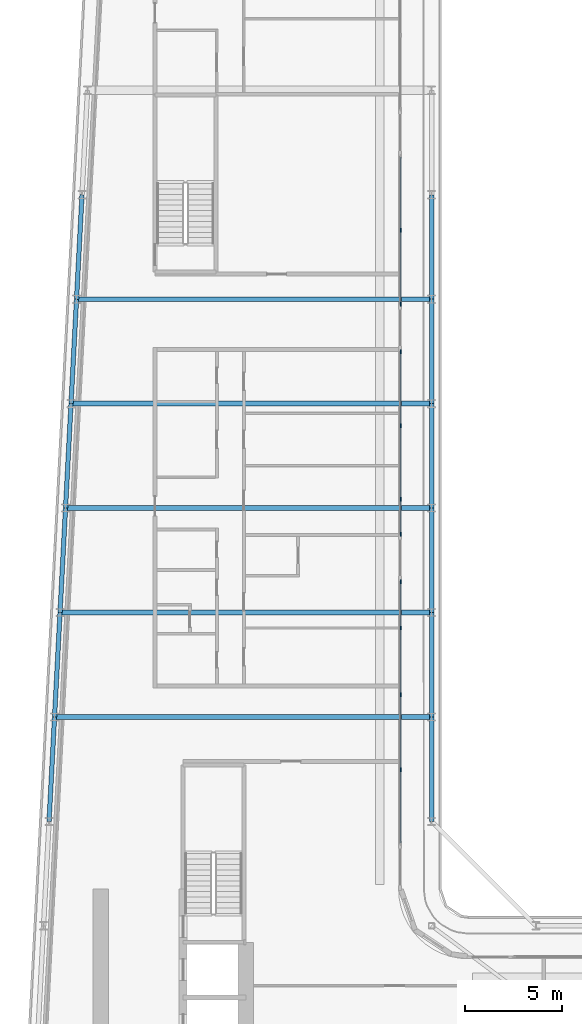
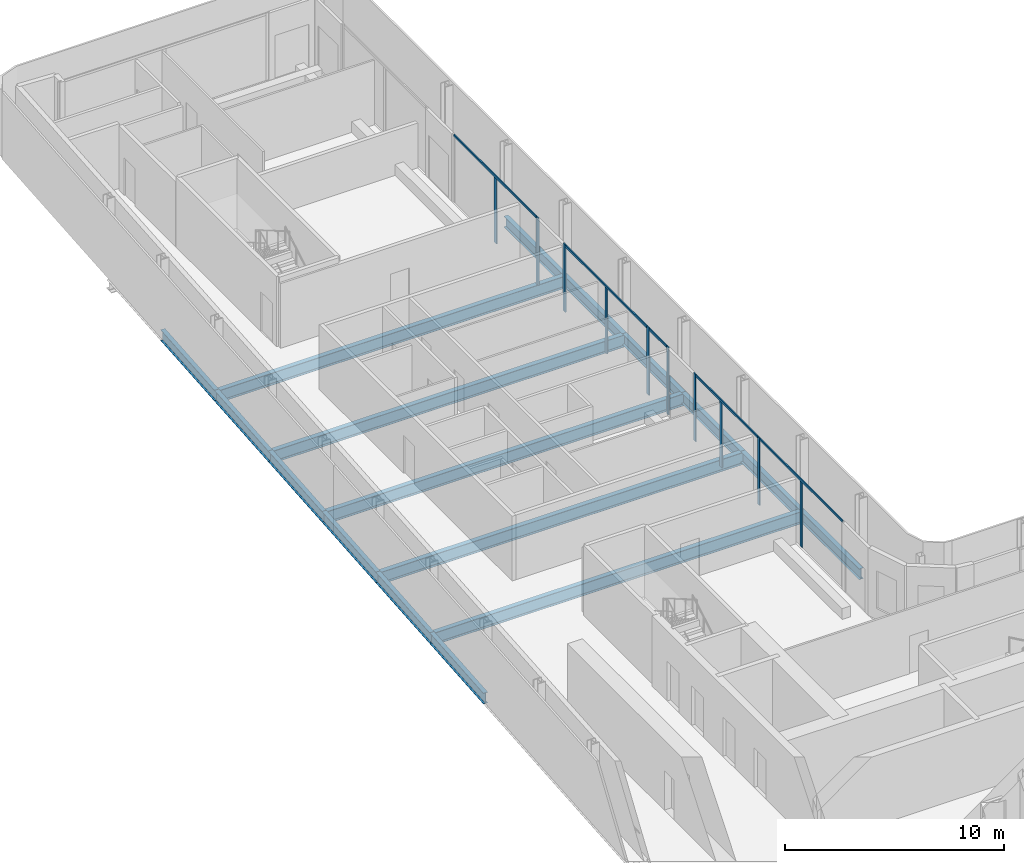
# One storey, part 9 of 28: 17 beams, 15 members, 5 elements without a shape of their own.
"""IFC4 building model written with IfcOpenShell, lengths in metres."""

from ifc_helpers import new_model, si_unit, direction, frame, origin, origin_2d, place, context, subcontext, project, spatial, rectangle, i_section, extrude, material, layer, layer_set, material_profile, profile_set, type_object, element, aggregate, save


model = new_model("IFC4")

# Units and contexts
model_context = context("Model", 3, precision=1e-05, world=origin(), true_north=direction((0.0, 1.0)))
body_context = subcontext(model_context, "Body", "Model", "MODEL_VIEW")
ifc_project = project(units=[si_unit("LENGTHUNIT", "METRE"), si_unit("AREAUNIT", "SQUARE_METRE"), si_unit("VOLUMEUNIT", "CUBIC_METRE"), si_unit("PLANEANGLEUNIT", "RADIAN"), si_unit("MASSUNIT", "GRAM", prefix="KILO")], contexts=[model_context])

# Site, building, storey
site_placement = place(None, origin())
site = spatial("IfcSite", under=ifc_project, at=site_placement, CompositionType="ELEMENT")
building_placement = place(site_placement, origin())
building = spatial("IfcBuilding", under=site, at=building_placement, Name="Kheshtan School and Residences Tower", CompositionType="ELEMENT")
storey_placement = place(building_placement, frame((0.0, 0.0, 187.699951171875)))
storey = spatial("IfcBuildingStorey", under=building, at=storey_placement, Name="L44", CompositionType="ELEMENT", Elevation=187.699951171875)

# Beams
ifc_material_1 = material(Name="Steel ASTM A992 Grade 50", Category="steel")
ifc_material_profile_1 = material_profile(ifc_material_1, i_section(OverallWidth=0.2529296875, OverallDepth=0.677978515625, WebThickness=0.01171875, FlangeThickness=0.016357421875, FilletRadius=0.0146484375, at=origin_2d()), Name="W690x125")
ifc_profile_set_1 = profile_set([ifc_material_profile_1], Name="Steel ASTM A992 Grade 50")
beam_type_1 = type_object("IfcBeamType", Name="Beam FB6 W690x125 ASTM A992 Grade 50", PredefinedType="BEAM", material=ifc_profile_set_1)
beam_1_placement = place(storey_placement, frame((47.60009765625, 78.0, -0.489013671875), z_axis=(-1.0, 0.0, 0.0), x_axis=(0.0, -1.0, 0.0)))
element("IfcBeam", 1, at=beam_1_placement, inside=storey, type_object=beam_type_1, Name="Floor beam C089", PredefinedType="BEAM", context=body_context, shape_type="SweptSolid", body=[
    extrude(i_section(OverallWidth=0.2529296875, OverallDepth=0.677978515625, WebThickness=0.01171875, FlangeThickness=0.016357421875, FilletRadius=0.0146484375, at=origin_2d()), origin(), (0.0, 0.0, 1.0), 18.357177734375),
])
beam_2_placement = place(storey_placement, frame((47.60009765625, 67.199951171875, -0.489013671875), z_axis=(-1.0, 0.0, 0.0), x_axis=(0.0, -1.0, 0.0)))
element("IfcBeam", 2, at=beam_2_placement, inside=storey, type_object=beam_type_1, Name="Floor beam C085", PredefinedType="BEAM", context=body_context, shape_type="SweptSolid", body=[
    extrude(i_section(OverallWidth=0.2529296875, OverallDepth=0.677978515625, WebThickness=0.01171875, FlangeThickness=0.016357421875, FilletRadius=0.0146484375, at=origin_2d()), origin(), (0.0, 0.0, 1.0), 18.926025390625),
])
beam_3_placement = place(storey_placement, frame((47.60009765625, 56.39990234375, -0.489013671875), z_axis=(-1.0, 0.0, 0.0), x_axis=(0.0, -1.0, 0.0)))
element("IfcBeam", 3, at=beam_3_placement, inside=storey, type_object=beam_type_1, Name="Floor beam C081", PredefinedType="BEAM", context=body_context, shape_type="SweptSolid", body=[
    extrude(i_section(OverallWidth=0.2529296875, OverallDepth=0.677978515625, WebThickness=0.01171875, FlangeThickness=0.016357421875, FilletRadius=0.0146484375, at=origin_2d()), origin(), (0.0, 0.0, 1.0), 19.494140625),
])
beam_4_placement = place(storey_placement, frame((28.389892578125, 61.800048828125, -0.489013671875), z_axis=(1.0, 0.0, 0.0), x_axis=(0.0, 1.0, 0.0)))
element("IfcBeam", 4, at=beam_4_placement, inside=storey, type_object=beam_type_1, Name="Floor beam C082", PredefinedType="BEAM", context=body_context, shape_type="SweptSolid", body=[
    extrude(i_section(OverallWidth=0.2529296875, OverallDepth=0.677978515625, WebThickness=0.01171875, FlangeThickness=0.016357421875, FilletRadius=0.0146484375, at=origin_2d()), origin(), (0.0, 0.0, 1.0), 19.210205078125),
])
beam_5_placement = place(storey_placement, frame((28.9580078125, 72.60009765625, -0.489013671875), z_axis=(1.0, 0.0, 0.0), x_axis=(0.0, 1.0, 0.0)))
element("IfcBeam", 5, at=beam_5_placement, inside=storey, type_object=beam_type_1, Name="Floor beam C086", PredefinedType="BEAM", context=body_context, shape_type="SweptSolid", body=[
    extrude(i_section(OverallWidth=0.2529296875, OverallDepth=0.677978515625, WebThickness=0.01171875, FlangeThickness=0.016357421875, FilletRadius=0.0146484375, at=origin_2d()), origin(), (0.0, 0.0, 1.0), 18.64208984375),
])
ifc_material_profile_2 = material_profile(ifc_material_1, i_section(OverallWidth=0.22802734375, OverallDepth=0.60302734375, WebThickness=0.010498046875, FlangeThickness=0.014892578125, FilletRadius=0.013427734375, at=origin_2d()), Name="W610x101")
ifc_profile_set_2 = profile_set([ifc_material_profile_2], Name="Steel ASTM A992 Grade 50")
beam_type_2 = type_object("IfcBeamType", Name="Beam SP2 W610x101 ASTM A992 Grade 50", PredefinedType="BEAM", material=ifc_profile_set_2)
for number, where, z_axis, x_axis, name in (
    (6, (47.60009765625, 83.39990234375, -0.451416015625), (0.0, -1.0, 0.0), (1.0, 0.0, 0.0), "Spandrel beam C091-C089"),
    (7, (47.60009765625, 78.0, -0.451416015625), (0.0, -1.0, 0.0), (1.0, 0.0, 0.0), "Spandrel beam C089-C087"),
):
    element("IfcBeam", number, at=place(storey_placement, frame(where, z_axis=z_axis, x_axis=x_axis)), inside=storey, type_object=beam_type_2, Name=name, PredefinedType="BEAM", context=body_context, shape_type="SweptSolid", body=[
        extrude(i_section(OverallWidth=0.22802734375, OverallDepth=0.60302734375, WebThickness=0.010498046875, FlangeThickness=0.014892578125, FilletRadius=0.013427734375, at=origin_2d()), origin(), (0.0, 0.0, 1.0), 5.39990234375),
    ])
beam_6_placement = place(storey_placement, frame((47.60009765625, 72.60009765625, -0.451416015625), z_axis=(0.0, -1.0, 0.0), x_axis=(1.0, 0.0, 0.0)))
element("IfcBeam", 8, at=beam_6_placement, inside=storey, type_object=beam_type_2, Name="Spandrel beam C087-C085", PredefinedType="BEAM", context=body_context, shape_type="SweptSolid", body=[
    extrude(i_section(OverallWidth=0.22802734375, OverallDepth=0.60302734375, WebThickness=0.010498046875, FlangeThickness=0.014892578125, FilletRadius=0.013427734375, at=origin_2d()), origin(), (0.0, 0.0, 1.0), 5.400146484375),
])
beam_7_placement = place(storey_placement, frame((47.60009765625, 67.199951171875, -0.451416015625), z_axis=(0.0, -1.0, 0.0), x_axis=(1.0, 0.0, 0.0)))
element("IfcBeam", 9, at=beam_7_placement, inside=storey, type_object=beam_type_2, Name="Spandrel beam C085-C083", PredefinedType="BEAM", context=body_context, shape_type="SweptSolid", body=[
    extrude(i_section(OverallWidth=0.22802734375, OverallDepth=0.60302734375, WebThickness=0.010498046875, FlangeThickness=0.014892578125, FilletRadius=0.013427734375, at=origin_2d()), origin(), (0.0, 0.0, 1.0), 5.39990234375),
])
beam_8_placement = place(storey_placement, frame((47.60009765625, 61.800048828125, -0.451416015625), z_axis=(0.0, -1.0, 0.0), x_axis=(1.0, 0.0, 0.0)))
element("IfcBeam", 10, at=beam_8_placement, inside=storey, type_object=beam_type_2, Name="Spandrel beam C083-C081", PredefinedType="BEAM", context=body_context, shape_type="SweptSolid", body=[
    extrude(i_section(OverallWidth=0.22802734375, OverallDepth=0.60302734375, WebThickness=0.010498046875, FlangeThickness=0.014892578125, FilletRadius=0.013427734375, at=origin_2d()), origin(), (0.0, 0.0, 1.0), 5.400146484375),
])
beam_9_placement = place(storey_placement, frame((47.60009765625, 56.39990234375, -0.451416015625), z_axis=(0.0, -1.0, 0.0), x_axis=(1.0, 0.0, 0.0)))
element("IfcBeam", 11, at=beam_9_placement, inside=storey, type_object=beam_type_2, Name="Spandrel beam C081-C079", PredefinedType="BEAM", context=body_context, shape_type="SweptSolid", body=[
    extrude(i_section(OverallWidth=0.22802734375, OverallDepth=0.60302734375, WebThickness=0.010498046875, FlangeThickness=0.014892578125, FilletRadius=0.013427734375, at=origin_2d()), origin(), (0.0, 0.0, 1.0), 5.39990234375),
])
beam_10_placement = place(storey_placement, frame((27.822021484375, 51.0, -0.451416015625), z_axis=(0.05250906864, 0.998620447272, 0.0), x_axis=(-0.998620447272, 0.05250906864, 0.0)))
element("IfcBeam", 12, at=beam_10_placement, inside=storey, type_object=beam_type_2, Name="Spandrel beam C078-C080", PredefinedType="BEAM", context=body_context, shape_type="SweptSolid", body=[
    extrude(i_section(OverallWidth=0.22802734375, OverallDepth=0.60302734375, WebThickness=0.010498046875, FlangeThickness=0.014892578125, FilletRadius=0.013427734375, at=origin_2d()), origin(), (0.0, 0.0, 1.0), 5.407470703125),
])
beam_11_placement = place(storey_placement, frame((28.10595703125, 56.39990234375, -0.451416015625), z_axis=(0.05250670125, 0.998620571751, 0.0), x_axis=(-0.998620571751, 0.05250670125, 0.0)))
element("IfcBeam", 13, at=beam_11_placement, inside=storey, type_object=beam_type_2, Name="Spandrel beam C080-C082", PredefinedType="BEAM", context=body_context, shape_type="SweptSolid", body=[
    extrude(i_section(OverallWidth=0.22802734375, OverallDepth=0.60302734375, WebThickness=0.010498046875, FlangeThickness=0.014892578125, FilletRadius=0.013427734375, at=origin_2d()), origin(), (0.0, 0.0, 1.0), 5.40771484375),
])
beam_12_placement = place(storey_placement, frame((28.389892578125, 61.800048828125, -0.451416015625), z_axis=(0.052554093665, 0.998618078766, 0.0), x_axis=(-0.998618078766, 0.052554093665, 0.0)))
element("IfcBeam", 14, at=beam_12_placement, inside=storey, type_object=beam_type_2, Name="Spandrel beam C082-C084", PredefinedType="BEAM", context=body_context, shape_type="SweptSolid", body=[
    extrude(i_section(OverallWidth=0.22802734375, OverallDepth=0.60302734375, WebThickness=0.010498046875, FlangeThickness=0.014892578125, FilletRadius=0.013427734375, at=origin_2d()), origin(), (0.0, 0.0, 1.0), 5.407470703125),
])
beam_13_placement = place(storey_placement, frame((28.674072265625, 67.199951171875, -0.451416015625), z_axis=(0.05250670125, 0.998620571751, 0.0), x_axis=(-0.998620571751, 0.05250670125, 0.0)))
element("IfcBeam", 15, at=beam_13_placement, inside=storey, type_object=beam_type_2, Name="Spandrel beam C084-C086", PredefinedType="BEAM", context=body_context, shape_type="SweptSolid", body=[
    extrude(i_section(OverallWidth=0.22802734375, OverallDepth=0.60302734375, WebThickness=0.010498046875, FlangeThickness=0.014892578125, FilletRadius=0.013427734375, at=origin_2d()), origin(), (0.0, 0.0, 1.0), 5.40771484375),
])
for number, where, z_axis, x_axis, name in (
    (16, (28.9580078125, 72.60009765625, -0.451416015625), (0.052689166816, 0.998610961136, 0.0), (-0.998610961136, 0.052689166816, 0.0), "Spandrel beam C086-C088"),
    (17, (29.242919921875, 78.0, -0.451416015625), (0.052554093665, 0.998618078766, 0.0), (-0.998618078766, 0.052554093665, 0.0), "Spandrel beam C088-C090"),
):
    element("IfcBeam", number, at=place(storey_placement, frame(where, z_axis=z_axis, x_axis=x_axis)), inside=storey, type_object=beam_type_2, Name=name, PredefinedType="BEAM", context=body_context, shape_type="SweptSolid", body=[
        extrude(i_section(OverallWidth=0.22802734375, OverallDepth=0.60302734375, WebThickness=0.010498046875, FlangeThickness=0.014892578125, FilletRadius=0.013427734375, at=origin_2d()), origin(), (0.0, 0.0, 1.0), 5.407470703125),
    ])

# Curtain wall, members
ifc_material_2 = material(Name="Clear low-e glass in thermally broken aluminium frame", Category="aluminium")
ifc_layer = layer(ifc_material_2, 0.199951171875)
ifc_layer_set = layer_set([ifc_layer], Name="Curtain wall CW-L")
curtain_wall_type = type_object("IfcCurtainWallType", Name="Curtain wall CW-L", PredefinedType="NOTDEFINED", material=ifc_layer_set)
curtain_wall_1_placement = place(storey_placement, origin())
curtain_wall_1 = element("IfcCurtainWall", 18, at=curtain_wall_1_placement, inside=storey, type_object=curtain_wall_type, Name="Curtain wall CWL8", PredefinedType="NOTDEFINED")
ifc_material_3 = material(Name="Thermally broken aluminium, dark bronze anodised", Category="aluminium")
ifc_material_profile_3 = material_profile(ifc_material_3, rectangle(XDim=0.06005859375, YDim=0.199951171875, at=origin_2d()), Name="CW-L mullion 60x200")
ifc_profile_set_3 = profile_set([ifc_material_profile_3], Name="Thermally broken aluminium, dark bronze anodised")
member_type_1 = type_object("IfcMemberType", Name="CW-L mullion 60x200", PredefinedType="MULLION", material=ifc_profile_set_3)
member_1_placement = place(storey_placement, frame((46.0, 81.55908203125, 0.0), z_axis=(0.0, 0.0, 1.0), x_axis=(1.0, 0.0, 0.0)))
member_1 = element("IfcMember", 19, at=member_1_placement, type_object=member_type_1, Name="CWL8 mullion 2", PredefinedType="MULLION", context=body_context, shape_type="SweptSolid", body=[
    extrude(rectangle(XDim=0.06005859375, YDim=0.199951171875, at=origin_2d()), origin(), (0.0, 0.0, 1.0), 3.630126953125),
])
member_2_placement = place(storey_placement, frame((46.0, 77.741943359375, 0.0), z_axis=(0.0, 0.0, 1.0), x_axis=(1.0, 0.0, 0.0)))
member_2 = element("IfcMember", 20, at=member_2_placement, type_object=member_type_1, Name="CWL8 mullion 3", PredefinedType="MULLION", context=body_context, shape_type="SweptSolid", body=[
    extrude(rectangle(XDim=0.06005859375, YDim=0.199951171875, at=origin_2d()), origin(), (0.0, 0.0, 1.0), 3.75),
])

curtain_wall_2_placement = place(storey_placement, origin())
curtain_wall_2 = element("IfcCurtainWall", 21, at=curtain_wall_2_placement, inside=storey, type_object=curtain_wall_type, Name="Curtain wall CWL8", PredefinedType="NOTDEFINED")
member_3_placement = place(storey_placement, frame((46.0, 75.281982421875, 0.0), z_axis=(0.0, 0.0, 1.0), x_axis=(1.0, 0.0, 0.0)))
member_3 = element("IfcMember", 22, at=member_3_placement, type_object=member_type_1, Name="CWL8 mullion 1", PredefinedType="MULLION", context=body_context, shape_type="SweptSolid", body=[
    extrude(rectangle(XDim=0.06005859375, YDim=0.199951171875, at=origin_2d()), origin(), (0.0, 0.0, 1.0), 3.75),
])
member_4_placement = place(storey_placement, frame((46.0, 71.465087890625, 0.0), z_axis=(0.0, 0.0, 1.0), x_axis=(1.0, 0.0, 0.0)))
member_4 = element("IfcMember", 23, at=member_4_placement, type_object=member_type_1, Name="CWL8 mullion 2", PredefinedType="MULLION", context=body_context, shape_type="SweptSolid", body=[
    extrude(rectangle(XDim=0.06005859375, YDim=0.199951171875, at=origin_2d()), origin(), (0.0, 0.0, 1.0), 3.630126953125),
])
member_5_placement = place(storey_placement, frame((46.0, 67.64794921875, 0.0), z_axis=(0.0, 0.0, 1.0), x_axis=(1.0, 0.0, 0.0)))
member_5 = element("IfcMember", 24, at=member_5_placement, type_object=member_type_1, Name="CWL8 mullion 3", PredefinedType="MULLION", context=body_context, shape_type="SweptSolid", body=[
    extrude(rectangle(XDim=0.06005859375, YDim=0.199951171875, at=origin_2d()), origin(), (0.0, 0.0, 1.0), 3.75),
])

# Curtain wall, member
curtain_wall_3_placement = place(storey_placement, origin())
curtain_wall_3 = element("IfcCurtainWall", 25, at=curtain_wall_3_placement, inside=storey, type_object=curtain_wall_type, Name="Curtain wall CWL8e", PredefinedType="NOTDEFINED")
member_6_placement = place(storey_placement, frame((46.0, 65.847900390625, 0.0), z_axis=(0.0, 0.0, 1.0), x_axis=(1.0, 0.0, 0.0)))
member_6 = element("IfcMember", 26, at=member_6_placement, type_object=member_type_1, Name="CWL8e mullion 2", PredefinedType="MULLION", context=body_context, shape_type="SweptSolid", body=[
    extrude(rectangle(XDim=0.06005859375, YDim=0.199951171875, at=origin_2d()), origin(), (0.0, 0.0, 1.0), 3.75),
])

# Curtain wall, members
curtain_wall_4_placement = place(storey_placement, origin())
curtain_wall_4 = element("IfcCurtainWall", 27, at=curtain_wall_4_placement, inside=storey, type_object=curtain_wall_type, Name="Curtain wall CWL8m", PredefinedType="NOTDEFINED")
member_7_placement = place(storey_placement, frame((46.0, 63.387939453125, 0.0), z_axis=(0.0, 0.0, 1.0), x_axis=(1.0, 0.0, 0.0)))
member_7 = element("IfcMember", 28, at=member_7_placement, type_object=member_type_1, Name="CWL8m mullion 1", PredefinedType="MULLION", context=body_context, shape_type="SweptSolid", body=[
    extrude(rectangle(XDim=0.06005859375, YDim=0.199951171875, at=origin_2d()), origin(), (0.0, 0.0, 1.0), 3.75),
])
member_8_placement = place(storey_placement, frame((46.0, 61.0, 0.0), z_axis=(0.0, 0.0, 1.0), x_axis=(1.0, 0.0, 0.0)))
member_8 = element("IfcMember", 29, at=member_8_placement, type_object=member_type_1, Name="CWL8m mullion 2", PredefinedType="MULLION", context=body_context, shape_type="SweptSolid", body=[
    extrude(rectangle(XDim=0.06005859375, YDim=0.199951171875, at=origin_2d()), origin(), (0.0, 0.0, 1.0), 3.630126953125),
])
member_9_placement = place(storey_placement, frame((46.0, 57.553955078125, 0.0), z_axis=(0.0, 0.0, 1.0), x_axis=(1.0, 0.0, 0.0)))
member_9 = element("IfcMember", 30, at=member_9_placement, type_object=member_type_1, Name="CWL8m mullion 3", PredefinedType="MULLION", context=body_context, shape_type="SweptSolid", body=[
    extrude(rectangle(XDim=0.06005859375, YDim=0.199951171875, at=origin_2d()), origin(), (0.0, 0.0, 1.0), 3.75),
])

# Curtain wall, member
curtain_wall_5_placement = place(storey_placement, origin())
curtain_wall_5 = element("IfcCurtainWall", 31, at=curtain_wall_5_placement, inside=storey, type_object=curtain_wall_type, Name="Curtain wall CWL8", PredefinedType="NOTDEFINED")
member_10_placement = place(storey_placement, frame((46.0, 53.677001953125, 0.0), z_axis=(0.0, 0.0, 1.0), x_axis=(1.0, 0.0, 0.0)))
member_10 = element("IfcMember", 32, at=member_10_placement, type_object=member_type_1, Name="CWL8 mullion 2", PredefinedType="MULLION", context=body_context, shape_type="SweptSolid", body=[
    extrude(rectangle(XDim=0.06005859375, YDim=0.199951171875, at=origin_2d()), origin(), (0.0, 0.0, 1.0), 3.630126953125),
])

# Member
ifc_material_profile_4 = material_profile(ifc_material_3, rectangle(XDim=0.06005859375, YDim=0.1201171875, at=origin_2d()), Name="CW-L transom 60x120")
ifc_profile_set_4 = profile_set([ifc_material_profile_4], Name="Thermally broken aluminium, dark bronze anodised")
member_type_2 = type_object("IfcMemberType", Name="CW-L transom 60x120", PredefinedType="USERDEFINED", material=ifc_profile_set_4)
member_11_placement = place(storey_placement, frame((46.0, 85.345947265625, 3.68994140625), z_axis=(0.0, -1.0, 0.0), x_axis=(1.0, 0.0, 0.0)))
member_11 = element("IfcMember", 33, at=member_11_placement, type_object=member_type_2, Name="CWL8 transom 1", ObjectType="TRANSOM", PredefinedType="USERDEFINED", context=body_context, shape_type="SweptSolid", body=[
    extrude(rectangle(XDim=0.06005859375, YDim=0.1201171875, at=origin_2d()), origin(), (0.0, 0.0, 1.0), 7.573974609375),
])

aggregate(curtain_wall_1, [member_1, member_2, member_11])

member_12_placement = place(storey_placement, frame((46.0, 75.251953125, 3.68994140625), z_axis=(0.0, -1.0, 0.0), x_axis=(1.0, 0.0, 0.0)))
member_12 = element("IfcMember", 34, at=member_12_placement, type_object=member_type_2, Name="CWL8 transom 1", ObjectType="TRANSOM", PredefinedType="USERDEFINED", context=body_context, shape_type="SweptSolid", body=[
    extrude(rectangle(XDim=0.06005859375, YDim=0.1201171875, at=origin_2d()), origin(), (0.0, 0.0, 1.0), 7.573974609375),
])

aggregate(curtain_wall_2, [member_3, member_4, member_5, member_12])

member_13_placement = place(storey_placement, frame((46.0, 67.617919921875, 3.68994140625), z_axis=(0.0, -1.0, 0.0), x_axis=(1.0, 0.0, 0.0)))
member_13 = element("IfcMember", 35, at=member_13_placement, type_object=member_type_2, Name="CWL8e transom 1", ObjectType="TRANSOM", PredefinedType="USERDEFINED", context=body_context, shape_type="SweptSolid", body=[
    extrude(rectangle(XDim=0.06005859375, YDim=0.1201171875, at=origin_2d()), origin(), (0.0, 0.0, 1.0), 1.739990234375),
])

aggregate(curtain_wall_3, [member_6, member_13])

member_14_placement = place(storey_placement, frame((46.0, 63.35791015625, 3.68994140625), z_axis=(0.0, -1.0, 0.0), x_axis=(1.0, 0.0, 0.0)))
member_14 = element("IfcMember", 36, at=member_14_placement, type_object=member_type_2, Name="CWL8m transom 1", ObjectType="TRANSOM", PredefinedType="USERDEFINED", context=body_context, shape_type="SweptSolid", body=[
    extrude(rectangle(XDim=0.06005859375, YDim=0.1201171875, at=origin_2d()), origin(), (0.0, 0.0, 1.0), 5.77392578125),
])

aggregate(curtain_wall_4, [member_7, member_8, member_9, member_14])

member_15_placement = place(storey_placement, frame((46.0, 57.52392578125, 3.68994140625), z_axis=(0.0, -1.0, 0.0), x_axis=(1.0, 0.0, 0.0)))
member_15 = element("IfcMember", 37, at=member_15_placement, type_object=member_type_2, Name="CWL8 transom 1", ObjectType="TRANSOM", PredefinedType="USERDEFINED", context=body_context, shape_type="SweptSolid", body=[
    extrude(rectangle(XDim=0.06005859375, YDim=0.1201171875, at=origin_2d()), origin(), (0.0, 0.0, 1.0), 7.634033203125),
])

aggregate(curtain_wall_5, [member_10, member_15])

save(model, "model.ifc")
